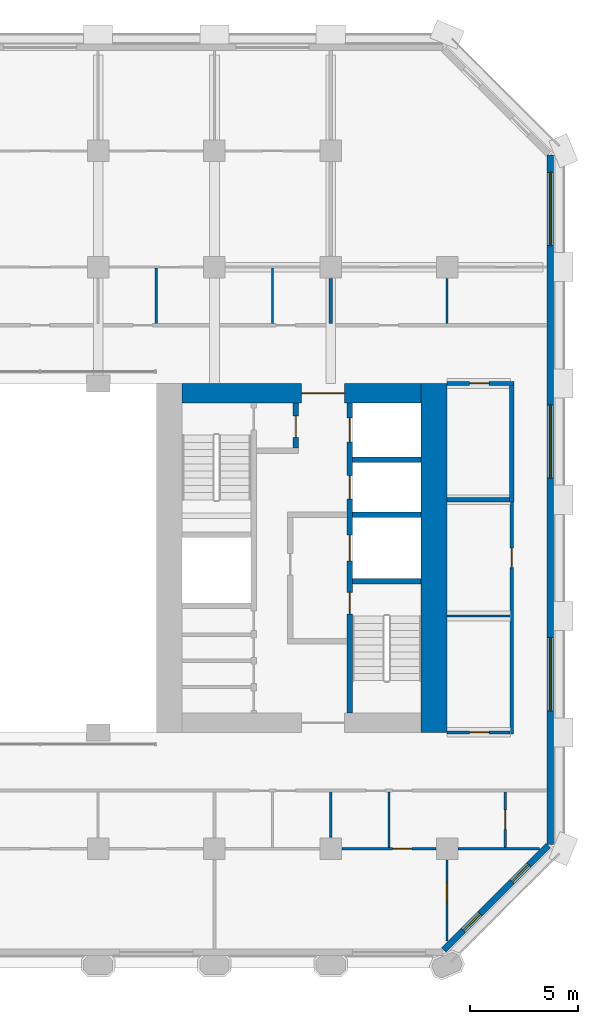
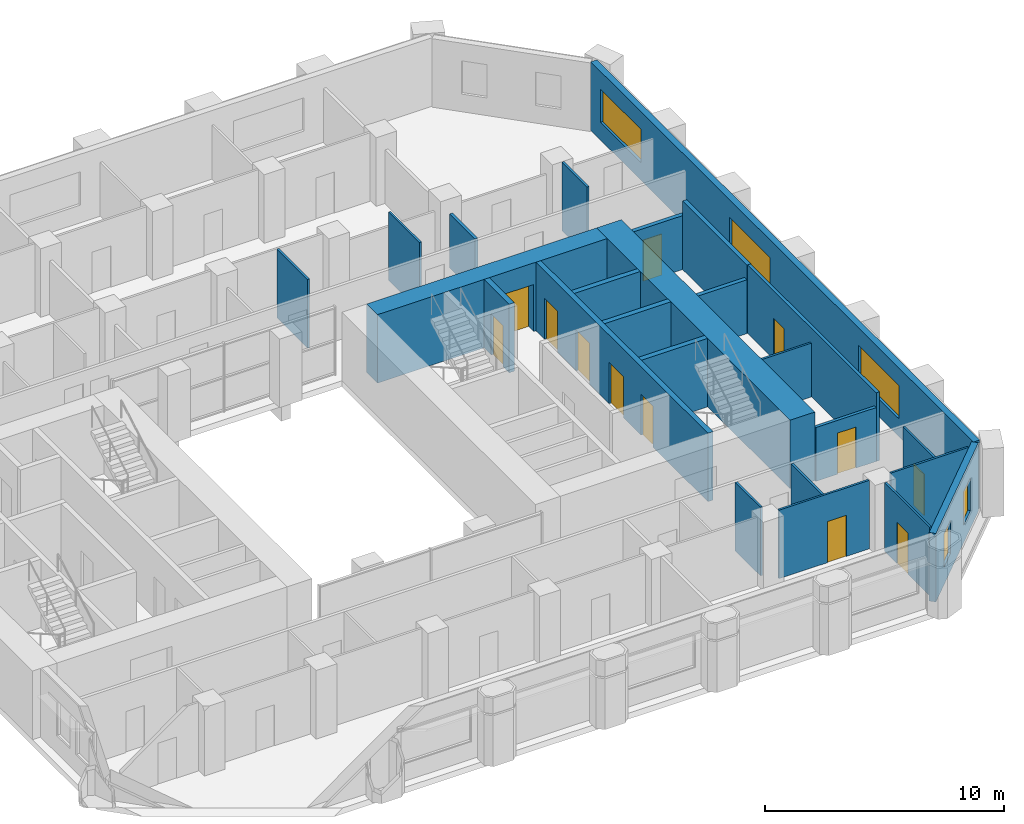
# One storey, part 6 of 11: 25 walls, 12 doors, 5 windows, 17 openings.
"""IFC4 building model written with IfcOpenShell, lengths in metres."""

from ifc_helpers import new_model, si_unit, direction, frame, frame_2d, origin, place, context, subcontext, project, spatial, rectangle, extrude, material, layer, layer_set, type_object, element, fill, save


model = new_model("IFC4")

# Units and contexts
model_context = context("Model", 3, precision=1e-05, world=origin(), true_north=direction((0.0, 1.0)))
body_context = subcontext(model_context, "Body", "Model", "MODEL_VIEW")
ifc_project = project(units=[si_unit("LENGTHUNIT", "METRE"), si_unit("AREAUNIT", "SQUARE_METRE"), si_unit("VOLUMEUNIT", "CUBIC_METRE"), si_unit("PLANEANGLEUNIT", "RADIAN"), si_unit("MASSUNIT", "GRAM", prefix="KILO")], contexts=[model_context])

# Site, building, storey
site_placement = place(None, origin())
site = spatial("IfcSite", under=ifc_project, at=site_placement, CompositionType="ELEMENT")
building_placement = place(site_placement, origin())
building = spatial("IfcBuilding", under=site, at=building_placement, Name="Tabaq Tower and Sports Hall", CompositionType="ELEMENT")
storey_placement = place(building_placement, frame((0.0, 0.0, 76.39990234375)))
storey = spatial("IfcBuildingStorey", under=building, at=storey_placement, Name="L17", CompositionType="ELEMENT", Elevation=76.39990234375)

# Wall
ifc_material_1 = material(Name="Concrete C60/75", Category="concrete")
ifc_layer_1 = layer(ifc_material_1, 1.199951171875)
ifc_layer_set_1 = layer_set([ifc_layer_1], Name="Core wall 1200 Concrete C60/75")
wall_type_1 = type_object("IfcWallType", Name="Core wall 1200 Concrete C60/75", PredefinedType="SOLIDWALL", material=ifc_layer_set_1)
wall_1_placement = place(storey_placement, frame((42.60009765625, 32.39990234375, 0.0), z_axis=(0.0, 0.0, 1.0), x_axis=(0.0, -1.0, 0.0)))
element("IfcWall", 1, at=wall_1_placement, inside=storey, type_object=wall_type_1, Name="Core wall E L17", PredefinedType="SOLIDWALL", context=body_context, shape_type="SweptSolid", body=[
    extrude(rectangle(XDim=16.199951171875, YDim=1.199951171875, at=frame_2d((8.10009765625, 0.0))), origin(), (0.0, 0.0, 1.0), 3.5),
])

# Wall, opening, door
ifc_material_2 = material(Name="Concrete C60/75", Category="concrete")
ifc_layer_2 = layer(ifc_material_2, 0.89990234375)
ifc_layer_set_2 = layer_set([ifc_layer_2], Name="Core wall 900 Concrete C60/75")
wall_type_2 = type_object("IfcWallType", Name="Core wall 900 Concrete C60/75", PredefinedType="SOLIDWALL", material=ifc_layer_set_2)
wall_2_placement = place(storey_placement, frame((30.89990234375, 31.949951171875, 0.0), z_axis=(0.0, 0.0, 1.0), x_axis=(1.0, 0.0, 0.0)))
wall_2 = element("IfcWall", 2, at=wall_2_placement, inside=storey, type_object=wall_type_2, Name="Core wall E L17", PredefinedType="SOLIDWALL", context=body_context, shape_type="SweptSolid", body=[
    extrude(rectangle(XDim=11.10009765625, YDim=0.89990234375, at=frame_2d((5.550048828125, 0.0))), origin(), (0.0, 0.0, 1.0), 3.5),
])
opening_1_placement = place(wall_2_placement, frame((5.550048828125, 0.0, 0.0)))
opening_1 = element("IfcOpeningElement", 3, at=opening_1_placement, cuts=wall_2, Name="Opening PD-EL17-02", PredefinedType="OPENING", context=body_context, shape_type="SweptSolid", body=[
    extrude(rectangle(XDim=2.0, YDim=2.39990234375, at=frame_2d((1.0, 1.199951171875))), frame((0.0, 0.449951171875, 0.0), z_axis=(0.0, -1.0, 0.0), x_axis=(1.0, 0.0, 0.0)), (0.0, 0.0, 1.0), 0.89990234375),
])
ifc_material_3 = material(Name="Steel fire door", Category="steel")
door_type_1 = type_object("IfcDoorType", Name="Core entrance door 2000", OperationType="DOUBLE_DOOR_SINGLE_SWING", PredefinedType="DOOR", material=ifc_material_3)
door_1_placement = place(opening_1_placement, origin())
door_1 = element("IfcDoor", 4, at=door_1_placement, inside=storey, type_object=door_type_1, Name="Core entrance north E L17", OperationType="DOUBLE_DOOR_SINGLE_SWING", OverallHeight=2.39990234375, OverallWidth=2.0, PredefinedType="DOOR", context=body_context, shape_type="SweptSolid", body=[
    extrude(rectangle(XDim=2.0, YDim=2.39990234375, at=frame_2d((1.0, 1.199951171875))), frame((0.0, 0.02490234375, 0.0), z_axis=(0.0, -1.0, 0.0), x_axis=(1.0, 0.0, 0.0)), (0.0, 0.0, 1.0), 0.050048828125),
])
fill(opening_1, door_1)

ifc_material_4 = material(Name="Blockwork", Category="masonry")
ifc_layer_3 = layer(ifc_material_4, 0.199951171875)
ifc_layer_set_3 = layer_set([ifc_layer_3], Name="Fire compartment wall 200 Blockwork")
wall_type_3 = type_object("IfcWallType", Name="Fire compartment wall 200 Blockwork", PredefinedType="PARTITIONING", material=ifc_layer_set_3)
wall_3_placement = place(storey_placement, frame((43.199951171875, 32.39990234375, 0.0), z_axis=(0.0, 0.0, 1.0), x_axis=(1.0, 0.0, 0.0)))
wall_3 = element("IfcWall", 5, at=wall_3_placement, inside=storey, type_object=wall_type_3, Name="Compartment wall L17", PredefinedType="PARTITIONING", context=body_context, shape_type="SweptSolid", body=[
    extrude(rectangle(XDim=3.10009765625, YDim=0.199951171875, at=frame_2d((1.550048828125, 0.0))), origin(), (0.0, 0.0, 1.0), 2.75),
])
opening_2_placement = place(wall_3_placement, frame((1.050048828125, 0.0, 0.0)))
opening_2 = element("IfcOpeningElement", 6, at=opening_2_placement, cuts=wall_3, Name="Opening L17-011", PredefinedType="OPENING", context=body_context, shape_type="SweptSolid", body=[
    extrude(rectangle(XDim=0.89990234375, YDim=2.10009765625, at=frame_2d((0.449951171875, 1.050048828125))), frame((0.0, 0.10009765625, 0.0), z_axis=(0.0, -1.0, 0.0), x_axis=(1.0, 0.0, 0.0)), (0.0, 0.0, 1.0), 0.199951171875),
])
ifc_material_5 = material(Name="Steel fire door", Category="steel")
door_type_2 = type_object("IfcDoorType", Name="Plant room door 900 left hand", OperationType="SINGLE_SWING_LEFT", PredefinedType="DOOR", material=ifc_material_5)
door_2_placement = place(opening_2_placement, origin())
door_2 = element("IfcDoor", 7, at=door_2_placement, inside=storey, type_object=door_type_2, Name="Plant room door L17-011", OperationType="SINGLE_SWING_LEFT", OverallHeight=2.10009765625, OverallWidth=0.89990234375, PredefinedType="DOOR", context=body_context, shape_type="SweptSolid", body=[
    extrude(rectangle(XDim=0.89990234375, YDim=2.10009765625, at=frame_2d((0.449951171875, 1.050048828125))), frame((0.0, 0.02490234375, 0.0), z_axis=(0.0, -1.0, 0.0), x_axis=(1.0, 0.0, 0.0)), (0.0, 0.0, 1.0), 0.050048828125),
])
fill(opening_2, door_2)

# Walls
wall_4_placement = place(storey_placement, frame((46.199951171875, 32.300048828125, 0.0), z_axis=(0.0, 0.0, 1.0), x_axis=(0.0, -1.0, 0.0)))
element("IfcWall", 8, at=wall_4_placement, inside=storey, type_object=wall_type_3, Name="Compartment wall L17", PredefinedType="PARTITIONING", context=body_context, shape_type="SweptSolid", body=[
    extrude(rectangle(XDim=5.400146484375, YDim=0.199951171875, at=frame_2d((2.7001953125, 0.0))), origin(), (0.0, 0.0, 1.0), 3.5),
])
wall_5_placement = place(storey_placement, frame((46.10009765625, 27.0, 0.0), z_axis=(0.0, 0.0, 1.0), x_axis=(-1.0, 0.0, 0.0)))
element("IfcWall", 9, at=wall_5_placement, inside=storey, type_object=wall_type_3, Name="Compartment wall L17", PredefinedType="PARTITIONING", context=body_context, shape_type="SweptSolid", body=[
    extrude(rectangle(XDim=2.900146484375, YDim=0.199951171875, at=frame_2d((1.4501953125, 0.0))), origin(), (0.0, 0.0, 1.0), 2.75),
])
ifc_material_6 = material(Name="Gypsum board on steel studs", Category="steel")
ifc_layer_4 = layer(ifc_material_6, 0.10009765625)
ifc_layer_set_4 = layer_set([ifc_layer_4], Name="Partition 100 Gypsum board")
wall_type_4 = type_object("IfcWallType", Name="Partition 100 Gypsum board", PredefinedType="PARTITIONING", material=ifc_layer_set_4)
for number, where, z_axis, x_axis, name in (
    (10, (29.699951171875, 35.175048828125, 0.0), (0.0, 0.0, 1.0), (0.0, 1.0, 0.0), "Partition wall L17"),
    (11, (35.10009765625, 35.175048828125, 0.0), (0.0, 0.0, 1.0), (0.0, 1.0, 0.0), "Partition wall L17"),
):
    element("IfcWall", number, at=place(storey_placement, frame(where, z_axis=z_axis, x_axis=x_axis)), inside=storey, type_object=wall_type_4, Name=name, PredefinedType="PARTITIONING", context=body_context, shape_type="SweptSolid", body=[
        extrude(rectangle(XDim=2.574951171875, YDim=0.10009765625, at=frame_2d((1.28759765625, 0.0))), origin(), (0.0, 0.0, 1.0), 3.5),
    ])
for number, where, z_axis, x_axis, name in (
    (12, (43.199951171875, 35.175048828125, 0.0), (0.0, 0.0, 1.0), (0.0, 1.0, 0.0), "Partition wall L17"),
    (13, (37.800048828125, 11.320068359375, 0.0), (0.0, 0.0, 1.0), (0.0, 1.0, 0.0), "Partition wall L17"),
):
    element("IfcWall", number, at=place(storey_placement, frame(where, z_axis=z_axis, x_axis=x_axis)), inside=storey, type_object=wall_type_4, Name=name, PredefinedType="PARTITIONING", context=body_context, shape_type="SweptSolid", body=[
        extrude(rectangle(XDim=2.10498046875, YDim=0.10009765625, at=frame_2d((1.052490234375, 0.0))), origin(), (0.0, 0.0, 1.0), 3.5),
    ])
wall_6_placement = place(storey_placement, frame((40.5, 10.85009765625, 0.0), z_axis=(0.0, 0.0, 1.0), x_axis=(0.0, 1.0, 0.0)))
element("IfcWall", 14, at=wall_6_placement, inside=storey, type_object=wall_type_4, Name="Partition wall L17", PredefinedType="PARTITIONING", context=body_context, shape_type="SweptSolid", body=[
    extrude(rectangle(XDim=2.574951171875, YDim=0.10009765625, at=frame_2d((1.28759765625, 0.0))), origin(), (0.0, 0.0, 1.0), 3.5),
])

# Wall, opening, door
wall_7_placement = place(storey_placement, frame((38.320068359375, 10.800048828125, 0.0), z_axis=(0.0, 0.0, 1.0), x_axis=(1.0, 0.0, 0.0)))
wall_7 = element("IfcWall", 15, at=wall_7_placement, inside=storey, type_object=wall_type_4, Name="Partition wall L17", PredefinedType="PARTITIONING", context=body_context, shape_type="SweptSolid", body=[
    extrude(rectangle(XDim=4.35986328125, YDim=0.10009765625, at=frame_2d((2.179931640625, 0.0))), origin(), (0.0, 0.0, 1.0), 3.5),
])
opening_3_placement = place(wall_7_placement, frame((2.35009765625, 0.0, 0.0)))
opening_3 = element("IfcOpeningElement", 16, at=opening_3_placement, cuts=wall_7, Name="Opening L17-033", PredefinedType="OPENING", context=body_context, shape_type="SweptSolid", body=[
    extrude(rectangle(XDim=0.89990234375, YDim=2.10009765625, at=frame_2d((0.449951171875, 1.050048828125))), frame((0.0, 0.050048828125, 0.0), z_axis=(0.0, -1.0, 0.0), x_axis=(1.0, 0.0, 0.0)), (0.0, 0.0, 1.0), 0.10009765625),
])
ifc_material_7 = material(Name="Timber leaf in steel frame", Category="steel")
door_type_3 = type_object("IfcDoorType", Name="Internal door 900 left hand", OperationType="SINGLE_SWING_LEFT", PredefinedType="DOOR", material=ifc_material_7)
door_3_placement = place(opening_3_placement, origin())
door_3 = element("IfcDoor", 17, at=door_3_placement, inside=storey, type_object=door_type_3, Name="Internal door L17-033", OperationType="SINGLE_SWING_LEFT", OverallHeight=2.10009765625, OverallWidth=0.89990234375, PredefinedType="DOOR", context=body_context, shape_type="SweptSolid", body=[
    extrude(rectangle(XDim=0.89990234375, YDim=2.10009765625, at=frame_2d((0.449951171875, 1.050048828125))), frame((0.0, 0.02490234375, 0.0), z_axis=(0.0, -1.0, 0.0), x_axis=(1.0, 0.0, 0.0)), (0.0, 0.0, 1.0), 0.050048828125),
])
fill(opening_3, door_3)

wall_8_placement = place(storey_placement, frame((45.89990234375, 10.85009765625, 0.0), z_axis=(0.0, 0.0, 1.0), x_axis=(0.0, 1.0, 0.0)))
wall_8 = element("IfcWall", 18, at=wall_8_placement, inside=storey, type_object=wall_type_4, Name="Partition wall L17", PredefinedType="PARTITIONING", context=body_context, shape_type="SweptSolid", body=[
    extrude(rectangle(XDim=2.574951171875, YDim=0.10009765625, at=frame_2d((1.28759765625, 0.0))), origin(), (0.0, 0.0, 1.0), 3.5),
])
opening_4_placement = place(wall_8_placement, frame((0.85009765625, 0.0, 0.0)))
opening_4 = element("IfcOpeningElement", 19, at=opening_4_placement, cuts=wall_8, Name="Opening L17-023", PredefinedType="OPENING", context=body_context, shape_type="SweptSolid", body=[
    extrude(rectangle(XDim=0.89990234375, YDim=2.10009765625, at=frame_2d((0.449951171875, 1.050048828125))), frame((0.0, 0.050048828125, 0.0), z_axis=(0.0, -1.0, 0.0), x_axis=(1.0, 0.0, 0.0)), (0.0, 0.0, 1.0), 0.10009765625),
])
door_4_placement = place(opening_4_placement, origin())
door_4 = element("IfcDoor", 20, at=door_4_placement, inside=storey, type_object=door_type_3, Name="Internal door L17-023", OperationType="SINGLE_SWING_LEFT", OverallHeight=2.10009765625, OverallWidth=0.89990234375, PredefinedType="DOOR", context=body_context, shape_type="SweptSolid", body=[
    extrude(rectangle(XDim=0.89990234375, YDim=2.10009765625, at=frame_2d((0.449951171875, 1.050048828125))), frame((0.0, 0.02490234375, 0.0), z_axis=(0.0, -1.0, 0.0), x_axis=(1.0, 0.0, 0.0)), (0.0, 0.0, 1.0), 0.050048828125),
])
fill(opening_4, door_4)

# Wall
wall_9_placement = place(storey_placement, frame((43.719970703125, 10.800048828125, 0.0), z_axis=(0.0, 0.0, 1.0), x_axis=(1.0, 0.0, 0.0)))
element("IfcWall", 21, at=wall_9_placement, inside=storey, type_object=wall_type_4, Name="Partition wall L17", PredefinedType="PARTITIONING", context=body_context, shape_type="SweptSolid", body=[
    extrude(rectangle(XDim=3.767822265625, YDim=0.10009765625, at=frame_2d((1.8837890625, 0.0))), origin(), (0.0, 0.0, 1.0), 3.5),
])

# Wall, opening, door
wall_10_placement = place(storey_placement, frame((43.199951171875, 6.51220703125, 0.0), z_axis=(0.0, 0.0, 1.0), x_axis=(0.0, 1.0, 0.0)))
wall_10 = element("IfcWall", 22, at=wall_10_placement, inside=storey, type_object=wall_type_4, Name="Partition wall L17", PredefinedType="PARTITIONING", context=body_context, shape_type="SweptSolid", body=[
    extrude(rectangle(XDim=3.767822265625, YDim=0.10009765625, at=frame_2d((1.8837890625, 0.0))), origin(), (0.0, 0.0, 1.0), 3.5),
])
opening_5_placement = place(wall_10_placement, frame((1.81298828125, 0.0, 0.0)))
opening_5 = element("IfcOpeningElement", 23, at=opening_5_placement, cuts=wall_10, Name="Opening L17-024", PredefinedType="OPENING", context=body_context, shape_type="SweptSolid", body=[
    extrude(rectangle(XDim=0.89990234375, YDim=2.10009765625, at=frame_2d((0.449951171875, 1.050048828125))), frame((0.0, 0.050048828125, 0.0), z_axis=(0.0, -1.0, 0.0), x_axis=(1.0, 0.0, 0.0)), (0.0, 0.0, 1.0), 0.10009765625),
])
door_5_placement = place(opening_5_placement, origin())
door_5 = element("IfcDoor", 24, at=door_5_placement, inside=storey, type_object=door_type_3, Name="Internal door L17-024", OperationType="SINGLE_SWING_LEFT", OverallHeight=2.10009765625, OverallWidth=0.89990234375, PredefinedType="DOOR", context=body_context, shape_type="SweptSolid", body=[
    extrude(rectangle(XDim=0.89990234375, YDim=2.10009765625, at=frame_2d((0.449951171875, 1.050048828125))), frame((0.0, 0.02490234375, 0.0), z_axis=(0.0, -1.0, 0.0), x_axis=(1.0, 0.0, 0.0)), (0.0, 0.0, 1.0), 0.050048828125),
])
fill(opening_5, door_5)

# Wall
wall_11_placement = place(storey_placement, frame((46.125, 21.60009765625, 0.0), z_axis=(0.0, 0.0, 1.0), x_axis=(-1.0, 0.0, 0.0)))
element("IfcWall", 25, at=wall_11_placement, inside=storey, type_object=wall_type_4, Name="Partition wall L17", PredefinedType="PARTITIONING", context=body_context, shape_type="SweptSolid", body=[
    extrude(rectangle(XDim=2.925048828125, YDim=0.10009765625, at=frame_2d((1.46240234375, 0.0))), origin(), (0.0, 0.0, 1.0), 2.75),
])

# Wall, opening, door
ifc_material_8 = material(Name="Blockwork", Category="masonry")
ifc_layer_5 = layer(ifc_material_8, 0.14990234375)
ifc_layer_set_5 = layer_set([ifc_layer_5], Name="Separating wall 150 Blockwork")
wall_type_5 = type_object("IfcWallType", Name="Separating wall 150 Blockwork", PredefinedType="PARTITIONING", material=ifc_layer_set_5)
wall_12_placement = place(storey_placement, frame((46.199951171875, 26.89990234375, 0.0), z_axis=(0.0, 0.0, 1.0), x_axis=(0.0, -1.0, 0.0)))
wall_12 = element("IfcWall", 26, at=wall_12_placement, inside=storey, type_object=wall_type_5, Name="Separating wall L17", PredefinedType="PARTITIONING", context=body_context, shape_type="SweptSolid", body=[
    extrude(rectangle(XDim=10.77490234375, YDim=0.14990234375, at=frame_2d((5.387451171875, 0.0))), origin(), (0.0, 0.0, 1.0), 3.5),
])
opening_6_placement = place(wall_12_placement, frame((2.14990234375, 0.0, 0.0)))
opening_6 = element("IfcOpeningElement", 27, at=opening_6_placement, cuts=wall_12, Name="Opening L17-010", PredefinedType="OPENING", context=body_context, shape_type="SweptSolid", body=[
    extrude(rectangle(XDim=0.89990234375, YDim=2.10009765625, at=frame_2d((0.449951171875, 1.050048828125))), frame((0.0, 0.074951171875, 0.0), z_axis=(0.0, -1.0, 0.0), x_axis=(1.0, 0.0, 0.0)), (0.0, 0.0, 1.0), 0.14990234375),
])
door_6_placement = place(opening_6_placement, origin())
door_6 = element("IfcDoor", 28, at=door_6_placement, inside=storey, type_object=door_type_3, Name="Internal door L17-010", OperationType="SINGLE_SWING_LEFT", OverallHeight=2.10009765625, OverallWidth=0.89990234375, PredefinedType="DOOR", context=body_context, shape_type="SweptSolid", body=[
    extrude(rectangle(XDim=0.89990234375, YDim=2.10009765625, at=frame_2d((0.449951171875, 1.050048828125))), frame((0.0, 0.02490234375, 0.0), z_axis=(0.0, -1.0, 0.0), x_axis=(1.0, 0.0, 0.0)), (0.0, 0.0, 1.0), 0.050048828125),
])
fill(opening_6, door_6)

wall_13_placement = place(storey_placement, frame((46.125, 16.199951171875, 0.0), z_axis=(0.0, 0.0, 1.0), x_axis=(-1.0, 0.0, 0.0)))
wall_13 = element("IfcWall", 29, at=wall_13_placement, inside=storey, type_object=wall_type_5, Name="Separating wall L17", PredefinedType="PARTITIONING", context=body_context, shape_type="SweptSolid", body=[
    extrude(rectangle(XDim=2.925048828125, YDim=0.14990234375, at=frame_2d((1.46240234375, 0.0))), origin(), (0.0, 0.0, 1.0), 2.75),
])
opening_7_placement = place(wall_13_placement, frame((0.97509765625, 0.0, 0.0)))
opening_7 = element("IfcOpeningElement", 30, at=opening_7_placement, cuts=wall_13, Name="Opening L17-009", PredefinedType="OPENING", context=body_context, shape_type="SweptSolid", body=[
    extrude(rectangle(XDim=0.89990234375, YDim=2.10009765625, at=frame_2d((0.449951171875, 1.050048828125))), frame((0.0, 0.074951171875, 0.0), z_axis=(0.0, -1.0, 0.0), x_axis=(1.0, 0.0, 0.0)), (0.0, 0.0, 1.0), 0.14990234375),
])
door_7_placement = place(opening_7_placement, origin())
door_7 = element("IfcDoor", 31, at=door_7_placement, inside=storey, type_object=door_type_3, Name="Internal door L17-009", OperationType="SINGLE_SWING_LEFT", OverallHeight=2.10009765625, OverallWidth=0.89990234375, PredefinedType="DOOR", context=body_context, shape_type="SweptSolid", body=[
    extrude(rectangle(XDim=0.89990234375, YDim=2.10009765625, at=frame_2d((0.449951171875, 1.050048828125))), frame((0.0, 0.02490234375, 0.0), z_axis=(0.0, -1.0, 0.0), x_axis=(1.0, 0.0, 0.0)), (0.0, 0.0, 1.0), 0.050048828125),
])
fill(opening_7, door_7)

# Wall
wall_14_placement = place(storey_placement, frame((37.800048828125, 35.175048828125, 0.0), z_axis=(0.0, 0.0, 1.0), x_axis=(0.0, 1.0, 0.0)))
element("IfcWall", 32, at=wall_14_placement, inside=storey, type_object=wall_type_5, Name="Separating wall L17", PredefinedType="PARTITIONING", context=body_context, shape_type="SweptSolid", body=[
    extrude(rectangle(XDim=2.10498046875, YDim=0.14990234375, at=frame_2d((1.052490234375, 0.0))), origin(), (0.0, 0.0, 1.0), 2.75),
])

# Wall, openings, doors
ifc_material_9 = material(Name="Concrete C40/50", Category="concrete")
ifc_layer_6 = layer(ifc_material_9, 0.25)
ifc_layer_set_6 = layer_set([ifc_layer_6], Name="Shaft and stair wall 250 Concrete C40/50")
wall_type_6 = type_object("IfcWallType", Name="Shaft and stair wall 250 Concrete C40/50", PredefinedType="SOLIDWALL", material=ifc_layer_set_6)
wall_15_placement = place(storey_placement, frame((38.675048828125, 17.10009765625, 0.0), z_axis=(0.0, 0.0, 1.0), x_axis=(0.0, 1.0, 0.0)))
wall_15 = element("IfcWall", 33, at=wall_15_placement, inside=storey, type_object=wall_type_6, Name="Shaft wall E L17", PredefinedType="SOLIDWALL", context=body_context, shape_type="SweptSolid", body=[
    extrude(rectangle(XDim=14.39990234375, YDim=0.25, at=frame_2d((7.199951171875, 0.0))), origin(), (0.0, 0.0, 1.0), 3.5),
])
opening_8_placement = place(wall_15_placement, frame((4.60009765625, 0.0, 0.0)))
opening_8 = element("IfcOpeningElement", 34, at=opening_8_placement, cuts=wall_15, Name="Opening SD-EL17-03", PredefinedType="OPENING", context=body_context, shape_type="SweptSolid", body=[
    extrude(rectangle(XDim=1.0, YDim=2.10009765625, at=frame_2d((0.5, 1.050048828125))), frame((0.0, 0.125, 0.0), z_axis=(0.0, -1.0, 0.0), x_axis=(1.0, 0.0, 0.0)), (0.0, 0.0, 1.0), 0.25),
])
opening_9_placement = place(wall_15_placement, frame((7.0625, 0.0, 0.0)))
opening_9 = element("IfcOpeningElement", 35, at=opening_9_placement, cuts=wall_15, Name="Opening LD-FF2-L17", PredefinedType="OPENING", context=body_context, shape_type="SweptSolid", body=[
    extrude(rectangle(XDim=1.199951171875, YDim=2.10009765625, at=frame_2d((0.60009765625, 1.050048828125))), frame((0.0, 0.125, 0.0), z_axis=(0.0, -1.0, 0.0), x_axis=(1.0, 0.0, 0.0)), (0.0, 0.0, 1.0), 0.25),
])
opening_10_placement = place(wall_15_placement, frame((9.925048828125, 0.0, 0.0)))
opening_10 = element("IfcOpeningElement", 36, at=opening_10_placement, cuts=wall_15, Name="Opening LD-LR3-L17", PredefinedType="OPENING", context=body_context, shape_type="SweptSolid", body=[
    extrude(rectangle(XDim=1.10009765625, YDim=2.10009765625, at=frame_2d((0.550048828125, 1.050048828125))), frame((0.0, 0.125, 0.0), z_axis=(0.0, -1.0, 0.0), x_axis=(1.0, 0.0, 0.0)), (0.0, 0.0, 1.0), 0.25),
])
opening_11_placement = place(wall_15_placement, frame((12.58740234375, 0.0, 0.0)))
opening_11 = element("IfcOpeningElement", 37, at=opening_11_placement, cuts=wall_15, Name="Opening LD-LR4-L17", PredefinedType="OPENING", context=body_context, shape_type="SweptSolid", body=[
    extrude(rectangle(XDim=1.10009765625, YDim=2.10009765625, at=frame_2d((0.550048828125, 1.050048828125))), frame((0.0, 0.125, 0.0), z_axis=(0.0, -1.0, 0.0), x_axis=(1.0, 0.0, 0.0)), (0.0, 0.0, 1.0), 0.25),
])
ifc_material_10 = material(Name="Stainless steel", Category="steel")
door_type_4 = type_object("IfcDoorType", Name="Lift landing door 1100", OperationType="DOUBLE_DOOR_SLIDING", PredefinedType="DOOR", material=ifc_material_10)
door_8_placement = place(opening_10_placement, origin())
door_8 = element("IfcDoor", 38, at=door_8_placement, inside=storey, type_object=door_type_4, Name="Lift landing door LR3 E L17", OperationType="DOUBLE_DOOR_SLIDING", OverallHeight=2.10009765625, OverallWidth=1.10009765625, PredefinedType="DOOR", context=body_context, shape_type="SweptSolid", body=[
    extrude(rectangle(XDim=1.10009765625, YDim=2.10009765625, at=frame_2d((0.550048828125, 1.050048828125))), frame((0.0, 0.02490234375, 0.0), z_axis=(0.0, -1.0, 0.0), x_axis=(1.0, 0.0, 0.0)), (0.0, 0.0, 1.0), 0.050048828125),
])
fill(opening_10, door_8)
door_9_placement = place(opening_11_placement, origin())
door_9 = element("IfcDoor", 39, at=door_9_placement, inside=storey, type_object=door_type_4, Name="Lift landing door LR4 E L17", OperationType="DOUBLE_DOOR_SLIDING", OverallHeight=2.10009765625, OverallWidth=1.10009765625, PredefinedType="DOOR", context=body_context, shape_type="SweptSolid", body=[
    extrude(rectangle(XDim=1.10009765625, YDim=2.10009765625, at=frame_2d((0.550048828125, 1.050048828125))), frame((0.0, 0.02490234375, 0.0), z_axis=(0.0, -1.0, 0.0), x_axis=(1.0, 0.0, 0.0)), (0.0, 0.0, 1.0), 0.050048828125),
])
fill(opening_11, door_9)
ifc_material_11 = material(Name="Stainless steel", Category="steel")
door_type_5 = type_object("IfcDoorType", Name="Lift landing door 1200", OperationType="DOUBLE_DOOR_SLIDING", PredefinedType="DOOR", material=ifc_material_11)
door_10_placement = place(opening_9_placement, origin())
door_10 = element("IfcDoor", 40, at=door_10_placement, inside=storey, type_object=door_type_5, Name="Lift landing door FF2 E L17", OperationType="DOUBLE_DOOR_SLIDING", OverallHeight=2.10009765625, OverallWidth=1.199951171875, PredefinedType="DOOR", context=body_context, shape_type="SweptSolid", body=[
    extrude(rectangle(XDim=1.199951171875, YDim=2.10009765625, at=frame_2d((0.60009765625, 1.050048828125))), frame((0.0, 0.02490234375, 0.0), z_axis=(0.0, -1.0, 0.0), x_axis=(1.0, 0.0, 0.0)), (0.0, 0.0, 1.0), 0.050048828125),
])
fill(opening_9, door_10)
ifc_material_12 = material(Name="Steel fire door", Category="steel")
door_type_6 = type_object("IfcDoorType", Name="Stair door 1000", OperationType="SINGLE_SWING_LEFT", PredefinedType="DOOR", material=ifc_material_12)
door_11_placement = place(opening_8_placement, origin())
door_11 = element("IfcDoor", 41, at=door_11_placement, inside=storey, type_object=door_type_6, Name="Stair door ST3 E L17", OperationType="SINGLE_SWING_LEFT", OverallHeight=2.10009765625, OverallWidth=1.0, PredefinedType="DOOR", context=body_context, shape_type="SweptSolid", body=[
    extrude(rectangle(XDim=1.0, YDim=2.10009765625, at=frame_2d((0.5, 1.050048828125))), frame((0.0, 0.02490234375, 0.0), z_axis=(0.0, -1.0, 0.0), x_axis=(1.0, 0.0, 0.0)), (0.0, 0.0, 1.0), 0.050048828125),
])
fill(opening_8, door_11)

# Walls
for number, where, z_axis, x_axis, name in (
    (42, (38.800048828125, 23.22509765625, 0.0), (0.0, 0.0, 1.0), (1.0, 0.0, 0.0), "Stair enclosure wall E L17"),
    (43, (38.800048828125, 26.300048828125, 0.0), (0.0, 0.0, 1.0), (1.0, 0.0, 0.0), "Shaft wall E L17"),
):
    element("IfcWall", number, at=place(storey_placement, frame(where, z_axis=z_axis, x_axis=x_axis)), inside=storey, type_object=wall_type_6, Name=name, PredefinedType="SOLIDWALL", context=body_context, shape_type="SweptSolid", body=[
        extrude(rectangle(XDim=3.199951171875, YDim=0.25, at=frame_2d((1.60009765625, 0.0))), origin(), (0.0, 0.0, 1.0), 3.5),
    ])

# Wall, opening, door
wall_16_placement = place(storey_placement, frame((36.175048828125, 29.39990234375, 0.0), z_axis=(0.0, 0.0, 1.0), x_axis=(0.0, 1.0, 0.0)))
wall_16 = element("IfcWall", 44, at=wall_16_placement, inside=storey, type_object=wall_type_6, Name="Fire-fighting lobby wall E L17", PredefinedType="SOLIDWALL", context=body_context, shape_type="SweptSolid", body=[
    extrude(rectangle(XDim=2.10009765625, YDim=0.25, at=frame_2d((1.050048828125, 0.0))), origin(), (0.0, 0.0, 1.0), 3.5),
])
opening_12_placement = place(wall_16_placement, frame((0.5, 0.0, 0.0)))
opening_12 = element("IfcOpeningElement", 45, at=opening_12_placement, cuts=wall_16, Name="Opening FD-EL17-06", PredefinedType="OPENING", context=body_context, shape_type="SweptSolid", body=[
    extrude(rectangle(XDim=1.0, YDim=2.10009765625, at=frame_2d((0.5, 1.050048828125))), frame((0.0, 0.125, 0.0), z_axis=(0.0, -1.0, 0.0), x_axis=(1.0, 0.0, 0.0)), (0.0, 0.0, 1.0), 0.25),
])
ifc_material_13 = material(Name="Steel fire door", Category="steel")
door_type_7 = type_object("IfcDoorType", Name="Fire-fighting lobby door 1000", OperationType="SINGLE_SWING_LEFT", PredefinedType="DOOR", material=ifc_material_13)
door_12_placement = place(opening_12_placement, origin())
door_12 = element("IfcDoor", 46, at=door_12_placement, inside=storey, type_object=door_type_7, Name="Stair lobby door E L17", OperationType="SINGLE_SWING_LEFT", OverallHeight=2.10009765625, OverallWidth=1.0, PredefinedType="DOOR", context=body_context, shape_type="SweptSolid", body=[
    extrude(rectangle(XDim=1.0, YDim=2.10009765625, at=frame_2d((0.5, 1.050048828125))), frame((0.0, 0.02490234375, 0.0), z_axis=(0.0, -1.0, 0.0), x_axis=(1.0, 0.0, 0.0)), (0.0, 0.0, 1.0), 0.050048828125),
])
fill(opening_12, door_12)

# Wall
wall_17_placement = place(storey_placement, frame((38.800048828125, 28.85009765625, 0.0), z_axis=(0.0, 0.0, 1.0), x_axis=(1.0, 0.0, 0.0)))
element("IfcWall", 47, at=wall_17_placement, inside=storey, type_object=wall_type_6, Name="Shaft wall E L17", PredefinedType="SOLIDWALL", context=body_context, shape_type="SweptSolid", body=[
    extrude(rectangle(XDim=3.199951171875, YDim=0.25, at=frame_2d((1.60009765625, 0.0))), origin(), (0.0, 0.0, 1.0), 3.5),
])

# Wall, openings, windows
ifc_material_14 = material(Name="White precast concrete C60/75", Category="concrete")
ifc_layer_7 = layer(ifc_material_14, 0.300048828125)
ifc_layer_set_7 = layer_set([ifc_layer_7], Name="White precast concrete C60/75 external wall 300")
wall_type_7 = type_object("IfcWallType", Name="White precast concrete C60/75 external wall 300", PredefinedType="SOLIDWALL", material=ifc_layer_set_7)
wall_18_placement = place(storey_placement, frame((43.050537109375, 6.098876953125, 0.0), z_axis=(0.0, 0.0, 1.0), x_axis=(0.707106781187, 0.707106781187, 0.0)))
wall_18 = element("IfcWall", 48, at=wall_18_placement, inside=storey, type_object=wall_type_7, Name="External Wall L17 SE", PredefinedType="SOLIDWALL", context=body_context, shape_type="SweptSolid", body=[
    extrude(rectangle(XDim=6.85986328125, YDim=0.300048828125, at=frame_2d((3.429931640625, 0.0))), origin(), (0.0, 0.0, 1.0), 3.5),
])
opening_13_placement = place(wall_18_placement, frame((1.27978515625, 0.0, 0.89990234375)))
opening_13 = element("IfcOpeningElement", 49, at=opening_13_placement, cuts=wall_18, Name="Opening W1B", PredefinedType="OPENING", context=body_context, shape_type="SweptSolid", body=[
    extrude(rectangle(XDim=1.10009765625, YDim=1.699951171875, at=frame_2d((0.550048828125, 0.85009765625))), frame((0.0, 0.16015625, 0.0), z_axis=(0.0, -1.0, 0.0), x_axis=(1.0, 0.0, 0.0)), (0.0, 0.0, 1.0), 0.320068359375),
])
opening_14_placement = place(wall_18_placement, frame((4.479736328125, 0.0, 0.89990234375)))
opening_14 = element("IfcOpeningElement", 50, at=opening_14_placement, cuts=wall_18, Name="Opening W1B", PredefinedType="OPENING", context=body_context, shape_type="SweptSolid", body=[
    extrude(rectangle(XDim=1.10009765625, YDim=1.699951171875, at=frame_2d((0.550048828125, 0.85009765625))), frame((0.0, 0.16015625, 0.0), z_axis=(0.0, -1.0, 0.0), x_axis=(1.0, 0.0, 0.0)), (0.0, 0.0, 1.0), 0.320068359375),
])
ifc_material_15 = material(Name="Aluminium framed clear glazing", Category="aluminium")
window_type_1 = type_object("IfcWindowType", Name="Window W1B", PartitioningType="SINGLE_PANEL", PredefinedType="WINDOW", material=ifc_material_15)
window_1_placement = place(opening_13_placement, origin())
window_1 = element("IfcWindow", 51, at=window_1_placement, inside=storey, type_object=window_type_1, Name="Window W1B L17", OverallHeight=1.699951171875, OverallWidth=1.10009765625, PartitioningType="SINGLE_PANEL", PredefinedType="WINDOW", context=body_context, shape_type="SweptSolid", body=[
    extrude(rectangle(XDim=1.10009765625, YDim=1.699951171875, at=frame_2d((0.550048828125, 0.85009765625))), frame((0.0, 0.030029296875, 0.0), z_axis=(0.0, -1.0, 0.0), x_axis=(1.0, 0.0, 0.0)), (0.0, 0.0, 1.0), 0.06005859375),
])
fill(opening_13, window_1)
window_2_placement = place(opening_14_placement, origin())
window_2 = element("IfcWindow", 52, at=window_2_placement, inside=storey, type_object=window_type_1, Name="Window W1B L17", OverallHeight=1.699951171875, OverallWidth=1.10009765625, PartitioningType="SINGLE_PANEL", PredefinedType="WINDOW", context=body_context, shape_type="SweptSolid", body=[
    extrude(rectangle(XDim=1.10009765625, YDim=1.699951171875, at=frame_2d((0.550048828125, 0.85009765625))), frame((0.0, 0.030029296875, 0.0), z_axis=(0.0, -1.0, 0.0), x_axis=(1.0, 0.0, 0.0)), (0.0, 0.0, 1.0), 0.06005859375),
])
fill(opening_14, window_2)

wall_19_placement = place(storey_placement, frame((48.0, 10.986328125, 0.0), z_axis=(0.0, 0.0, 1.0), x_axis=(0.0, 1.0, 0.0)))
wall_19 = element("IfcWall", 53, at=wall_19_placement, inside=storey, type_object=wall_type_7, Name="External Wall L17 E", PredefinedType="SOLIDWALL", context=body_context, shape_type="SweptSolid", body=[
    extrude(rectangle(XDim=32.02734375, YDim=0.300048828125, at=frame_2d((16.013671875, 0.0))), origin(), (0.0, 0.0, 1.0), 3.5),
])
opening_15_placement = place(wall_19_placement, frame((6.213623046875, 0.0, 0.89990234375)))
opening_15 = element("IfcOpeningElement", 54, at=opening_15_placement, cuts=wall_19, Name="Opening W1A", PredefinedType="OPENING", context=body_context, shape_type="SweptSolid", body=[
    extrude(rectangle(XDim=3.39990234375, YDim=1.699951171875, at=frame_2d((1.699951171875, 0.85009765625))), frame((0.0, 0.16015625, 0.0), z_axis=(0.0, -1.0, 0.0), x_axis=(1.0, 0.0, 0.0)), (0.0, 0.0, 1.0), 0.320068359375),
])
opening_16_placement = place(wall_19_placement, frame((17.013671875, 0.0, 0.89990234375)))
opening_16 = element("IfcOpeningElement", 55, at=opening_16_placement, cuts=wall_19, Name="Opening W1A", PredefinedType="OPENING", context=body_context, shape_type="SweptSolid", body=[
    extrude(rectangle(XDim=3.39990234375, YDim=1.699951171875, at=frame_2d((1.699951171875, 0.85009765625))), frame((0.0, 0.16015625, 0.0), z_axis=(0.0, -1.0, 0.0), x_axis=(1.0, 0.0, 0.0)), (0.0, 0.0, 1.0), 0.320068359375),
])
opening_17_placement = place(wall_19_placement, frame((27.813720703125, 0.0, 0.89990234375)))
opening_17 = element("IfcOpeningElement", 56, at=opening_17_placement, cuts=wall_19, Name="Opening W1A", PredefinedType="OPENING", context=body_context, shape_type="SweptSolid", body=[
    extrude(rectangle(XDim=3.39990234375, YDim=1.699951171875, at=frame_2d((1.699951171875, 0.85009765625))), frame((0.0, 0.16015625, 0.0), z_axis=(0.0, -1.0, 0.0), x_axis=(1.0, 0.0, 0.0)), (0.0, 0.0, 1.0), 0.320068359375),
])
ifc_material_16 = material(Name="Aluminium framed clear glazing", Category="aluminium")
window_type_2 = type_object("IfcWindowType", Name="Window W1A", PartitioningType="SINGLE_PANEL", PredefinedType="WINDOW", material=ifc_material_16)
window_3_placement = place(opening_15_placement, origin())
window_3 = element("IfcWindow", 57, at=window_3_placement, inside=storey, type_object=window_type_2, Name="Window W1A L17", OverallHeight=1.699951171875, OverallWidth=3.39990234375, PartitioningType="SINGLE_PANEL", PredefinedType="WINDOW", context=body_context, shape_type="SweptSolid", body=[
    extrude(rectangle(XDim=3.39990234375, YDim=1.699951171875, at=frame_2d((1.699951171875, 0.85009765625))), frame((0.0, 0.030029296875, 0.0), z_axis=(0.0, -1.0, 0.0), x_axis=(1.0, 0.0, 0.0)), (0.0, 0.0, 1.0), 0.06005859375),
])
fill(opening_15, window_3)
window_4_placement = place(opening_16_placement, origin())
window_4 = element("IfcWindow", 58, at=window_4_placement, inside=storey, type_object=window_type_2, Name="Window W1A L17", OverallHeight=1.699951171875, OverallWidth=3.39990234375, PartitioningType="SINGLE_PANEL", PredefinedType="WINDOW", context=body_context, shape_type="SweptSolid", body=[
    extrude(rectangle(XDim=3.39990234375, YDim=1.699951171875, at=frame_2d((1.699951171875, 0.85009765625))), frame((0.0, 0.030029296875, 0.0), z_axis=(0.0, -1.0, 0.0), x_axis=(1.0, 0.0, 0.0)), (0.0, 0.0, 1.0), 0.06005859375),
])
fill(opening_16, window_4)
window_5_placement = place(opening_17_placement, origin())
window_5 = element("IfcWindow", 59, at=window_5_placement, inside=storey, type_object=window_type_2, Name="Window W1A L17", OverallHeight=1.699951171875, OverallWidth=3.39990234375, PartitioningType="SINGLE_PANEL", PredefinedType="WINDOW", context=body_context, shape_type="SweptSolid", body=[
    extrude(rectangle(XDim=3.39990234375, YDim=1.699951171875, at=frame_2d((1.699951171875, 0.85009765625))), frame((0.0, 0.030029296875, 0.0), z_axis=(0.0, -1.0, 0.0), x_axis=(1.0, 0.0, 0.0)), (0.0, 0.0, 1.0), 0.06005859375),
])
fill(opening_17, window_5)

save(model, "model.ifc")
